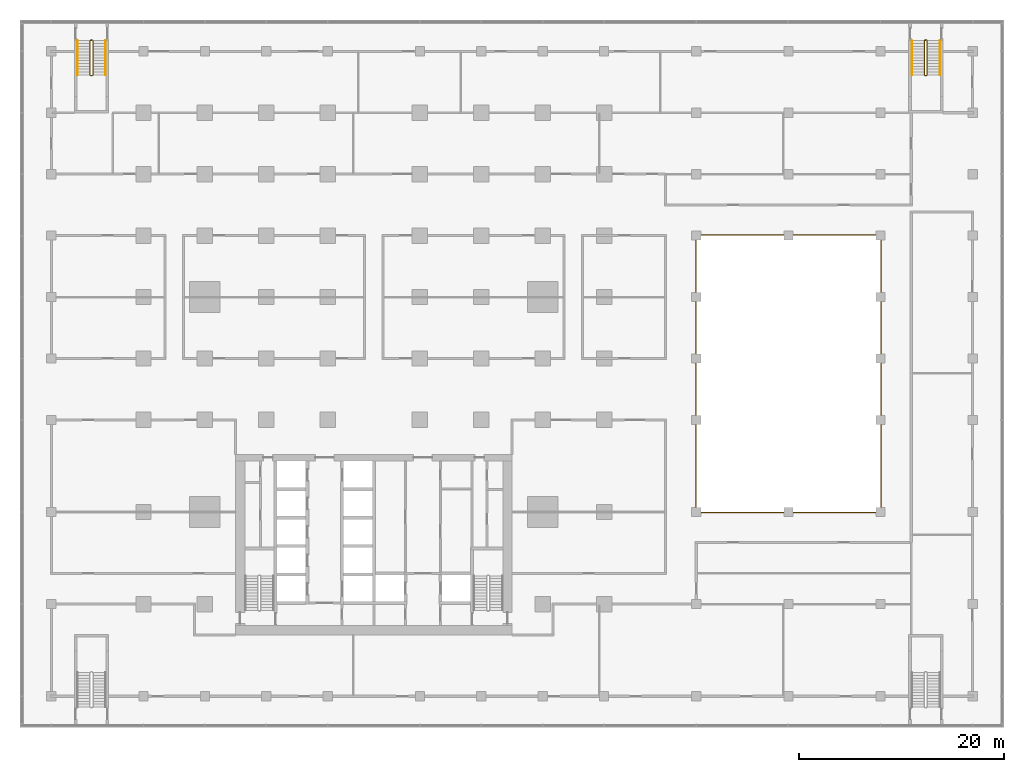
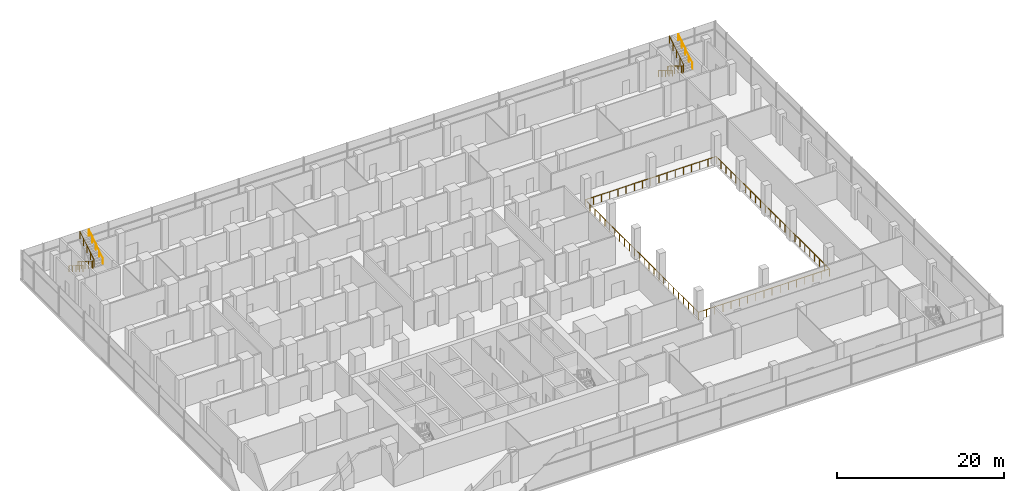
# One storey, part 22 of 22: 7 railings.
"""IFC4 building model written with IfcOpenShell, lengths in metres."""

from ifc_helpers import new_model, si_unit, direction, frame, origin, origin_2d, place, context, subcontext, project, spatial, circle, extrude, material, type_object, element, save


model = new_model("IFC4")

# Units and contexts
model_context = context("Model", 3, precision=1e-05, world=origin(), true_north=direction((0.0, 1.0)))
body_context = subcontext(model_context, "Body", "Model", "MODEL_VIEW")
ifc_project = project(units=[si_unit("LENGTHUNIT", "METRE"), si_unit("AREAUNIT", "SQUARE_METRE"), si_unit("VOLUMEUNIT", "CUBIC_METRE"), si_unit("PLANEANGLEUNIT", "RADIAN"), si_unit("MASSUNIT", "GRAM", prefix="KILO")], contexts=[model_context])

# Site, building, storey
site_placement = place(None, origin())
site = spatial("IfcSite", under=ifc_project, at=site_placement, CompositionType="ELEMENT")
building_placement = place(site_placement, origin())
building = spatial("IfcBuilding", under=site, at=building_placement, Name="Finial Court Residences", CompositionType="ELEMENT")
storey_placement = place(building_placement, frame((0.0, 0.0, 23.5)))
storey = spatial("IfcBuildingStorey", under=building, at=storey_placement, Name="L04", CompositionType="ELEMENT", Elevation=23.5)

# Railings
ifc_material_1 = material(Name="Bronze anodised aluminium", Category="aluminium")
railing_type_1 = type_object("IfcRailingType", Name="Atrium gallery guard 1100", PredefinedType="GUARDRAIL", material=ifc_material_1)
railing_1_placement = place(storey_placement, frame((31.449951171875, -13.550048828125, 0.0)))
element("IfcRailing", 1, at=railing_1_placement, inside=storey, type_object=railing_type_1, Name="L04 atrium gallery guard", PredefinedType="GUARDRAIL", context=body_context, shape_type="SweptSolid", body=[
    extrude(circle(Radius=0.02392578125, at=origin_2d()), frame((0.0, 0.0, 1.076171875), z_axis=(1.0, 0.0, 0.0), x_axis=(0.0, 1.0, 0.0)), (0.0, 0.0, 1.0), 18.10009765625),
    extrude(circle(Radius=0.02392578125, at=origin_2d()), frame((18.10009765625, 0.0, 1.076171875), z_axis=(0.0, 1.0, 0.0), x_axis=(-1.0, 0.0, 0.0)), (0.0, 0.0, 1.0), 27.10009765625),
    extrude(circle(Radius=0.02392578125, at=origin_2d()), frame((18.10009765625, 27.10009765625, 1.076171875), z_axis=(-1.0, 0.0, 0.0), x_axis=(0.0, -1.0, 0.0)), (0.0, 0.0, 1.0), 18.10009765625),
    extrude(circle(Radius=0.02392578125, at=origin_2d()), frame((0.0, 27.10009765625, 1.076171875), z_axis=(0.0, -1.0, 0.0), x_axis=(1.0, 0.0, 0.0)), (0.0, 0.0, 1.0), 27.0400390625),
    extrude(circle(Radius=0.02099609375, at=origin_2d()), origin(), (0.0, 0.0, 1.0), 1.052001953125),
    extrude(circle(Radius=0.02099609375, at=origin_2d()), frame((1.13134765625, 0.0, 0.0)), (0.0, 0.0, 1.0), 1.052001953125),
    extrude(circle(Radius=0.02099609375, at=origin_2d()), frame((2.262451171875, 0.0, 0.0)), (0.0, 0.0, 1.0), 1.052001953125),
    extrude(circle(Radius=0.02099609375, at=origin_2d()), frame((3.393798828125, 0.0, 0.0)), (0.0, 0.0, 1.0), 1.052001953125),
    extrude(circle(Radius=0.02099609375, at=origin_2d()), frame((4.52490234375, 0.0, 0.0)), (0.0, 0.0, 1.0), 1.052001953125),
    extrude(circle(Radius=0.02099609375, at=origin_2d()), frame((5.65625, 0.0, 0.0)), (0.0, 0.0, 1.0), 1.052001953125),
    extrude(circle(Radius=0.02099609375, at=origin_2d()), frame((6.78759765625, 0.0, 0.0)), (0.0, 0.0, 1.0), 1.052001953125),
    extrude(circle(Radius=0.02099609375, at=origin_2d()), frame((7.918701171875, 0.0, 0.0)), (0.0, 0.0, 1.0), 1.052001953125),
    extrude(circle(Radius=0.02099609375, at=origin_2d()), frame((9.050048828125, 0.0, 0.0)), (0.0, 0.0, 1.0), 1.052001953125),
    extrude(circle(Radius=0.02099609375, at=origin_2d()), frame((10.181396484375, 0.0, 0.0)), (0.0, 0.0, 1.0), 1.052001953125),
    extrude(circle(Radius=0.02099609375, at=origin_2d()), frame((11.3125, 0.0, 0.0)), (0.0, 0.0, 1.0), 1.052001953125),
    extrude(circle(Radius=0.02099609375, at=origin_2d()), frame((12.44384765625, 0.0, 0.0)), (0.0, 0.0, 1.0), 1.052001953125),
    extrude(circle(Radius=0.02099609375, at=origin_2d()), frame((13.5751953125, 0.0, 0.0)), (0.0, 0.0, 1.0), 1.052001953125),
    extrude(circle(Radius=0.02099609375, at=origin_2d()), frame((14.706298828125, 0.0, 0.0)), (0.0, 0.0, 1.0), 1.052001953125),
    extrude(circle(Radius=0.02099609375, at=origin_2d()), frame((15.837646484375, 0.0, 0.0)), (0.0, 0.0, 1.0), 1.052001953125),
    extrude(circle(Radius=0.02099609375, at=origin_2d()), frame((16.96875, 0.0, 0.0)), (0.0, 0.0, 1.0), 1.052001953125),
    extrude(circle(Radius=0.02099609375, at=origin_2d()), frame((18.10009765625, 0.0, 0.0)), (0.0, 0.0, 1.0), 1.052001953125),
    extrude(circle(Radius=0.02099609375, at=origin_2d()), frame((18.10009765625, 1.17822265625, 0.0)), (0.0, 0.0, 1.0), 1.052001953125),
    extrude(circle(Radius=0.02099609375, at=origin_2d()), frame((18.10009765625, 2.3564453125, 0.0)), (0.0, 0.0, 1.0), 1.052001953125),
    extrude(circle(Radius=0.02099609375, at=origin_2d()), frame((18.10009765625, 3.534912109375, 0.0)), (0.0, 0.0, 1.0), 1.052001953125),
    extrude(circle(Radius=0.02099609375, at=origin_2d()), frame((18.10009765625, 4.713134765625, 0.0)), (0.0, 0.0, 1.0), 1.052001953125),
    extrude(circle(Radius=0.02099609375, at=origin_2d()), frame((18.10009765625, 5.891357421875, 0.0)), (0.0, 0.0, 1.0), 1.052001953125),
    extrude(circle(Radius=0.02099609375, at=origin_2d()), frame((18.10009765625, 7.069580078125, 0.0)), (0.0, 0.0, 1.0), 1.052001953125),
    extrude(circle(Radius=0.02099609375, at=origin_2d()), frame((18.10009765625, 8.247802734375, 0.0)), (0.0, 0.0, 1.0), 1.052001953125),
    extrude(circle(Radius=0.02099609375, at=origin_2d()), frame((18.10009765625, 9.426025390625, 0.0)), (0.0, 0.0, 1.0), 1.052001953125),
    extrude(circle(Radius=0.02099609375, at=origin_2d()), frame((18.10009765625, 10.6044921875, 0.0)), (0.0, 0.0, 1.0), 1.052001953125),
    extrude(circle(Radius=0.02099609375, at=origin_2d()), frame((18.10009765625, 11.78271484375, 0.0)), (0.0, 0.0, 1.0), 1.052001953125),
    extrude(circle(Radius=0.02099609375, at=origin_2d()), frame((18.10009765625, 12.9609375, 0.0)), (0.0, 0.0, 1.0), 1.052001953125),
    extrude(circle(Radius=0.02099609375, at=origin_2d()), frame((18.10009765625, 14.13916015625, 0.0)), (0.0, 0.0, 1.0), 1.052001953125),
    extrude(circle(Radius=0.02099609375, at=origin_2d()), frame((18.10009765625, 15.3173828125, 0.0)), (0.0, 0.0, 1.0), 1.052001953125),
    extrude(circle(Radius=0.02099609375, at=origin_2d()), frame((18.10009765625, 16.49560546875, 0.0)), (0.0, 0.0, 1.0), 1.052001953125),
    extrude(circle(Radius=0.02099609375, at=origin_2d()), frame((18.10009765625, 17.674072265625, 0.0)), (0.0, 0.0, 1.0), 1.052001953125),
    extrude(circle(Radius=0.02099609375, at=origin_2d()), frame((18.10009765625, 18.852294921875, 0.0)), (0.0, 0.0, 1.0), 1.052001953125),
    extrude(circle(Radius=0.02099609375, at=origin_2d()), frame((18.10009765625, 20.030517578125, 0.0)), (0.0, 0.0, 1.0), 1.052001953125),
    extrude(circle(Radius=0.02099609375, at=origin_2d()), frame((18.10009765625, 21.208740234375, 0.0)), (0.0, 0.0, 1.0), 1.052001953125),
    extrude(circle(Radius=0.02099609375, at=origin_2d()), frame((18.10009765625, 22.386962890625, 0.0)), (0.0, 0.0, 1.0), 1.052001953125),
    extrude(circle(Radius=0.02099609375, at=origin_2d()), frame((18.10009765625, 23.565185546875, 0.0)), (0.0, 0.0, 1.0), 1.052001953125),
    extrude(circle(Radius=0.02099609375, at=origin_2d()), frame((18.10009765625, 24.74365234375, 0.0)), (0.0, 0.0, 1.0), 1.052001953125),
    extrude(circle(Radius=0.02099609375, at=origin_2d()), frame((18.10009765625, 25.921875, 0.0)), (0.0, 0.0, 1.0), 1.052001953125),
    extrude(circle(Radius=0.02099609375, at=origin_2d()), frame((18.10009765625, 27.10009765625, 0.0)), (0.0, 0.0, 1.0), 1.052001953125),
    extrude(circle(Radius=0.02099609375, at=origin_2d()), frame((16.96875, 27.10009765625, 0.0)), (0.0, 0.0, 1.0), 1.052001953125),
    extrude(circle(Radius=0.02099609375, at=origin_2d()), frame((15.837646484375, 27.10009765625, 0.0)), (0.0, 0.0, 1.0), 1.052001953125),
    extrude(circle(Radius=0.02099609375, at=origin_2d()), frame((14.706298828125, 27.10009765625, 0.0)), (0.0, 0.0, 1.0), 1.052001953125),
    extrude(circle(Radius=0.02099609375, at=origin_2d()), frame((13.5751953125, 27.10009765625, 0.0)), (0.0, 0.0, 1.0), 1.052001953125),
    extrude(circle(Radius=0.02099609375, at=origin_2d()), frame((12.44384765625, 27.10009765625, 0.0)), (0.0, 0.0, 1.0), 1.052001953125),
    extrude(circle(Radius=0.02099609375, at=origin_2d()), frame((11.3125, 27.10009765625, 0.0)), (0.0, 0.0, 1.0), 1.052001953125),
    extrude(circle(Radius=0.02099609375, at=origin_2d()), frame((10.181396484375, 27.10009765625, 0.0)), (0.0, 0.0, 1.0), 1.052001953125),
    extrude(circle(Radius=0.02099609375, at=origin_2d()), frame((9.050048828125, 27.10009765625, 0.0)), (0.0, 0.0, 1.0), 1.052001953125),
    extrude(circle(Radius=0.02099609375, at=origin_2d()), frame((7.918701171875, 27.10009765625, 0.0)), (0.0, 0.0, 1.0), 1.052001953125),
    extrude(circle(Radius=0.02099609375, at=origin_2d()), frame((6.78759765625, 27.10009765625, 0.0)), (0.0, 0.0, 1.0), 1.052001953125),
    extrude(circle(Radius=0.02099609375, at=origin_2d()), frame((5.65625, 27.10009765625, 0.0)), (0.0, 0.0, 1.0), 1.052001953125),
    extrude(circle(Radius=0.02099609375, at=origin_2d()), frame((4.52490234375, 27.10009765625, 0.0)), (0.0, 0.0, 1.0), 1.052001953125),
    extrude(circle(Radius=0.02099609375, at=origin_2d()), frame((3.393798828125, 27.10009765625, 0.0)), (0.0, 0.0, 1.0), 1.052001953125),
    extrude(circle(Radius=0.02099609375, at=origin_2d()), frame((2.262451171875, 27.10009765625, 0.0)), (0.0, 0.0, 1.0), 1.052001953125),
    extrude(circle(Radius=0.02099609375, at=origin_2d()), frame((1.13134765625, 27.10009765625, 0.0)), (0.0, 0.0, 1.0), 1.052001953125),
    extrude(circle(Radius=0.02099609375, at=origin_2d()), frame((0.0, 27.10009765625, 0.0)), (0.0, 0.0, 1.0), 1.052001953125),
    extrude(circle(Radius=0.02099609375, at=origin_2d()), frame((0.0, 25.924560546875, 0.0)), (0.0, 0.0, 1.0), 1.052001953125),
    extrude(circle(Radius=0.02099609375, at=origin_2d()), frame((0.0, 24.748779296875, 0.0)), (0.0, 0.0, 1.0), 1.052001953125),
    extrude(circle(Radius=0.02099609375, at=origin_2d()), frame((0.0, 23.5732421875, 0.0)), (0.0, 0.0, 1.0), 1.052001953125),
    extrude(circle(Radius=0.02099609375, at=origin_2d()), frame((0.0, 22.3974609375, 0.0)), (0.0, 0.0, 1.0), 1.052001953125),
    extrude(circle(Radius=0.02099609375, at=origin_2d()), frame((0.0, 21.221923828125, 0.0)), (0.0, 0.0, 1.0), 1.052001953125),
    extrude(circle(Radius=0.02099609375, at=origin_2d()), frame((0.0, 20.046142578125, 0.0)), (0.0, 0.0, 1.0), 1.052001953125),
    extrude(circle(Radius=0.02099609375, at=origin_2d()), frame((0.0, 18.87060546875, 0.0)), (0.0, 0.0, 1.0), 1.052001953125),
    extrude(circle(Radius=0.02099609375, at=origin_2d()), frame((0.0, 17.69482421875, 0.0)), (0.0, 0.0, 1.0), 1.052001953125),
    extrude(circle(Radius=0.02099609375, at=origin_2d()), frame((0.0, 16.519287109375, 0.0)), (0.0, 0.0, 1.0), 1.052001953125),
    extrude(circle(Radius=0.02099609375, at=origin_2d()), frame((0.0, 15.343505859375, 0.0)), (0.0, 0.0, 1.0), 1.052001953125),
    extrude(circle(Radius=0.02099609375, at=origin_2d()), frame((0.0, 14.16796875, 0.0)), (0.0, 0.0, 1.0), 1.052001953125),
    extrude(circle(Radius=0.02099609375, at=origin_2d()), frame((0.0, 12.9921875, 0.0)), (0.0, 0.0, 1.0), 1.052001953125),
    extrude(circle(Radius=0.02099609375, at=origin_2d()), frame((0.0, 11.816650390625, 0.0)), (0.0, 0.0, 1.0), 1.052001953125),
    extrude(circle(Radius=0.02099609375, at=origin_2d()), frame((0.0, 10.640869140625, 0.0)), (0.0, 0.0, 1.0), 1.052001953125),
    extrude(circle(Radius=0.02099609375, at=origin_2d()), frame((0.0, 9.46533203125, 0.0)), (0.0, 0.0, 1.0), 1.052001953125),
    extrude(circle(Radius=0.02099609375, at=origin_2d()), frame((0.0, 8.28955078125, 0.0)), (0.0, 0.0, 1.0), 1.052001953125),
    extrude(circle(Radius=0.02099609375, at=origin_2d()), frame((0.0, 7.114013671875, 0.0)), (0.0, 0.0, 1.0), 1.052001953125),
    extrude(circle(Radius=0.02099609375, at=origin_2d()), frame((0.0, 5.938232421875, 0.0)), (0.0, 0.0, 1.0), 1.052001953125),
    extrude(circle(Radius=0.02099609375, at=origin_2d()), frame((0.0, 4.7626953125, 0.0)), (0.0, 0.0, 1.0), 1.052001953125),
    extrude(circle(Radius=0.02099609375, at=origin_2d()), frame((0.0, 3.5869140625, 0.0)), (0.0, 0.0, 1.0), 1.052001953125),
    extrude(circle(Radius=0.02099609375, at=origin_2d()), frame((0.0, 2.411376953125, 0.0)), (0.0, 0.0, 1.0), 1.052001953125),
    extrude(circle(Radius=0.02099609375, at=origin_2d()), frame((0.0, 1.235595703125, 0.0)), (0.0, 0.0, 1.0), 1.052001953125),
    extrude(circle(Radius=0.02099609375, at=origin_2d()), frame((0.0, 0.06005859375, 0.0)), (0.0, 0.0, 1.0), 1.052001953125),
])
ifc_material_2 = material(Name="Stainless steel railing", Category="steel")
railing_type_2 = type_object("IfcRailingType", Name="Stair guard 1100", PredefinedType="GUARDRAIL", material=ifc_material_2)
railing_2_placement = place(storey_placement, frame((53.85009765625, 32.60009765625, 0.0)))
element("IfcRailing", 2, at=railing_2_placement, inside=storey, type_object=railing_type_2, Name="L04 ST-5 stair guard 1", PredefinedType="GUARDRAIL", context=body_context, shape_type="SweptSolid", body=[
    extrude(circle(Radius=0.02392578125, at=origin_2d()), frame((0.0, 0.0, 1.076171875), z_axis=(1.0, 0.0, 0.0), x_axis=(0.0, 1.0, 0.0)), (0.0, 0.0, 1.0), 0.14990234375),
    extrude(circle(Radius=0.02392578125, at=origin_2d()), frame((0.14990234375, 0.0, 1.076171875), z_axis=(-0.742869136974, -0.185944045274, 0.643094283413), x_axis=(0.242814311512, -0.970072785993, 0.0)), (0.0, 0.0, 1.0), 0.26904296875),
    extrude(circle(Radius=0.02392578125, at=origin_2d()), frame((-0.050048828125, -0.050048828125, 1.2490234375), z_axis=(0.0, -0.850623216509, 0.525775754039), x_axis=(1.0, 0.0, 0.0)), (0.0, 0.0, 1.0), 3.9501953125),
    extrude(circle(Radius=0.02392578125, at=origin_2d()), frame((-0.050048828125, -3.41015625, 3.326171875), z_axis=(0.707106781187, -0.707106781187, 0.0), x_axis=(0.707106781187, 0.707106781187, 0.0)), (0.0, 0.0, 1.0), 0.07080078125),
    extrude(circle(Radius=0.02392578125, at=origin_2d()), frame((0.0, -3.460205078125, 3.326171875), z_axis=(1.0, 0.0, 0.0), x_axis=(0.0, 1.0, 0.0)), (0.0, 0.0, 1.0), 0.14990234375),
    extrude(circle(Radius=0.02392578125, at=origin_2d()), frame((0.14990234375, -3.460205078125, 3.326171875), z_axis=(0.267629722418, 0.267629722418, 0.925607186314), x_axis=(-0.707106781187, 0.707106781187, 0.0)), (0.0, 0.0, 1.0), 0.18701171875),
    extrude(circle(Radius=0.02392578125, at=origin_2d()), frame((0.199951171875, -3.41015625, 3.4990234375), z_axis=(0.0, 0.850623216509, 0.525775754039), x_axis=(-1.0, 0.0, 0.0)), (0.0, 0.0, 1.0), 3.9501953125),
    extrude(circle(Radius=0.02099609375, at=origin_2d()), origin(), (0.0, 0.0, 1.0), 1.052001953125),
    extrude(circle(Radius=0.02099609375, at=origin_2d()), frame((0.14990234375, 0.0, 0.0)), (0.0, 0.0, 1.0), 1.052001953125),
    extrude(circle(Radius=0.02099609375, at=origin_2d()), frame((-0.050048828125, -0.050048828125, 0.173095703125)), (0.0, 0.0, 1.0), 1.052001953125),
    extrude(circle(Radius=0.02099609375, at=origin_2d()), frame((-0.050048828125, -0.89013671875, 0.6923828125)), (0.0, 0.0, 1.0), 1.052001953125),
    extrude(circle(Radius=0.02099609375, at=origin_2d()), frame((-0.050048828125, -1.72998046875, 1.21142578125)), (0.0, 0.0, 1.0), 1.052001953125),
    extrude(circle(Radius=0.02099609375, at=origin_2d()), frame((-0.050048828125, -2.570068359375, 1.730712890625)), (0.0, 0.0, 1.0), 1.052001953125),
    extrude(circle(Radius=0.02099609375, at=origin_2d()), frame((-0.050048828125, -3.41015625, 2.25)), (0.0, 0.0, 1.0), 1.052001953125),
    extrude(circle(Radius=0.02099609375, at=origin_2d()), frame((0.0, -3.460205078125, 2.25)), (0.0, 0.0, 1.0), 1.052001953125),
    extrude(circle(Radius=0.02099609375, at=origin_2d()), frame((0.14990234375, -3.460205078125, 2.25)), (0.0, 0.0, 1.0), 1.052001953125),
    extrude(circle(Radius=0.02099609375, at=origin_2d()), frame((0.199951171875, -3.41015625, 2.423095703125)), (0.0, 0.0, 1.0), 1.052001953125),
    extrude(circle(Radius=0.02099609375, at=origin_2d()), frame((0.199951171875, -2.570068359375, 2.9423828125)), (0.0, 0.0, 1.0), 1.052001953125),
    extrude(circle(Radius=0.02099609375, at=origin_2d()), frame((0.199951171875, -1.72998046875, 3.46142578125)), (0.0, 0.0, 1.0), 1.052001953125),
    extrude(circle(Radius=0.02099609375, at=origin_2d()), frame((0.199951171875, -0.89013671875, 3.980712890625)), (0.0, 0.0, 1.0), 1.052001953125),
    extrude(circle(Radius=0.02099609375, at=origin_2d()), frame((0.199951171875, -0.050048828125, 4.5)), (0.0, 0.0, 1.0), 1.052001953125),
])
railing_3_placement = place(storey_placement, frame((-27.64990234375, 32.60009765625, 0.0)))
element("IfcRailing", 3, at=railing_3_placement, inside=storey, type_object=railing_type_2, Name="L04 ST-6 stair guard 1", PredefinedType="GUARDRAIL", context=body_context, shape_type="SweptSolid", body=[
    extrude(circle(Radius=0.02392578125, at=origin_2d()), frame((0.0, 0.0, 1.076171875), z_axis=(1.0, 0.0, 0.0), x_axis=(0.0, 1.0, 0.0)), (0.0, 0.0, 1.0), 0.14990234375),
    extrude(circle(Radius=0.02392578125, at=origin_2d()), frame((0.14990234375, 0.0, 1.076171875), z_axis=(-0.742869136974, -0.185944045274, 0.643094283413), x_axis=(0.242814311512, -0.970072785993, 0.0)), (0.0, 0.0, 1.0), 0.26904296875),
    extrude(circle(Radius=0.02392578125, at=origin_2d()), frame((-0.050048828125, -0.050048828125, 1.2490234375), z_axis=(0.0, -0.850623216509, 0.525775754039), x_axis=(1.0, 0.0, 0.0)), (0.0, 0.0, 1.0), 3.9501953125),
    extrude(circle(Radius=0.02392578125, at=origin_2d()), frame((-0.050048828125, -3.41015625, 3.326171875), z_axis=(0.707106781187, -0.707106781187, 0.0), x_axis=(0.707106781187, 0.707106781187, 0.0)), (0.0, 0.0, 1.0), 0.07080078125),
    extrude(circle(Radius=0.02392578125, at=origin_2d()), frame((0.0, -3.460205078125, 3.326171875), z_axis=(1.0, 0.0, 0.0), x_axis=(0.0, 1.0, 0.0)), (0.0, 0.0, 1.0), 0.14990234375),
    extrude(circle(Radius=0.02392578125, at=origin_2d()), frame((0.14990234375, -3.460205078125, 3.326171875), z_axis=(0.267629722418, 0.267629722418, 0.925607186314), x_axis=(-0.707106781187, 0.707106781187, 0.0)), (0.0, 0.0, 1.0), 0.18701171875),
    extrude(circle(Radius=0.02392578125, at=origin_2d()), frame((0.199951171875, -3.41015625, 3.4990234375), z_axis=(0.0, 0.850623216509, 0.525775754039), x_axis=(-1.0, 0.0, 0.0)), (0.0, 0.0, 1.0), 3.9501953125),
    extrude(circle(Radius=0.02099609375, at=origin_2d()), origin(), (0.0, 0.0, 1.0), 1.052001953125),
    extrude(circle(Radius=0.02099609375, at=origin_2d()), frame((0.14990234375, 0.0, 0.0)), (0.0, 0.0, 1.0), 1.052001953125),
    extrude(circle(Radius=0.02099609375, at=origin_2d()), frame((-0.050048828125, -0.050048828125, 0.173095703125)), (0.0, 0.0, 1.0), 1.052001953125),
    extrude(circle(Radius=0.02099609375, at=origin_2d()), frame((-0.050048828125, -0.89013671875, 0.6923828125)), (0.0, 0.0, 1.0), 1.052001953125),
    extrude(circle(Radius=0.02099609375, at=origin_2d()), frame((-0.050048828125, -1.72998046875, 1.21142578125)), (0.0, 0.0, 1.0), 1.052001953125),
    extrude(circle(Radius=0.02099609375, at=origin_2d()), frame((-0.050048828125, -2.570068359375, 1.730712890625)), (0.0, 0.0, 1.0), 1.052001953125),
    extrude(circle(Radius=0.02099609375, at=origin_2d()), frame((-0.050048828125, -3.41015625, 2.25)), (0.0, 0.0, 1.0), 1.052001953125),
    extrude(circle(Radius=0.02099609375, at=origin_2d()), frame((0.0, -3.460205078125, 2.25)), (0.0, 0.0, 1.0), 1.052001953125),
    extrude(circle(Radius=0.02099609375, at=origin_2d()), frame((0.14990234375, -3.460205078125, 2.25)), (0.0, 0.0, 1.0), 1.052001953125),
    extrude(circle(Radius=0.02099609375, at=origin_2d()), frame((0.199951171875, -3.41015625, 2.423095703125)), (0.0, 0.0, 1.0), 1.052001953125),
    extrude(circle(Radius=0.02099609375, at=origin_2d()), frame((0.199951171875, -2.570068359375, 2.9423828125)), (0.0, 0.0, 1.0), 1.052001953125),
    extrude(circle(Radius=0.02099609375, at=origin_2d()), frame((0.199951171875, -1.72998046875, 3.46142578125)), (0.0, 0.0, 1.0), 1.052001953125),
    extrude(circle(Radius=0.02099609375, at=origin_2d()), frame((0.199951171875, -0.89013671875, 3.980712890625)), (0.0, 0.0, 1.0), 1.052001953125),
    extrude(circle(Radius=0.02099609375, at=origin_2d()), frame((0.199951171875, -0.050048828125, 4.5)), (0.0, 0.0, 1.0), 1.052001953125),
])
railing_type_3 = type_object("IfcRailingType", Name="Stair handrail 900", PredefinedType="HANDRAIL", material=ifc_material_2)
railing_4_placement = place(storey_placement, frame((52.550048828125, 32.550048828125, 0.173095703125)))
element("IfcRailing", 4, at=railing_4_placement, inside=storey, type_object=railing_type_3, Name="L04 ST-5 stair handrail 1", PredefinedType="HANDRAIL", context=body_context, shape_type="SweptSolid", body=[
    extrude(circle(Radius=0.02392578125, at=origin_2d()), frame((0.0, 0.0, 0.8759765625), z_axis=(0.0, -0.850623216509, 0.525775754039), x_axis=(1.0, 0.0, 0.0)), (0.0, 0.0, 1.0), 3.9501953125),
    extrude(circle(Radius=0.02099609375, at=origin_2d()), origin(), (0.0, 0.0, 1.0), 0.851806640625),
    extrude(circle(Radius=0.02099609375, at=origin_2d()), frame((0.0, -0.840087890625, 0.519287109375)), (0.0, 0.0, 1.0), 0.851806640625),
    extrude(circle(Radius=0.02099609375, at=origin_2d()), frame((0.0, -1.68017578125, 1.03857421875)), (0.0, 0.0, 1.0), 0.851806640625),
    extrude(circle(Radius=0.02099609375, at=origin_2d()), frame((0.0, -2.52001953125, 1.5576171875)), (0.0, 0.0, 1.0), 0.851806640625),
    extrude(circle(Radius=0.02099609375, at=origin_2d()), frame((0.0, -3.360107421875, 2.076904296875)), (0.0, 0.0, 1.0), 0.851806640625),
])
railing_5_placement = place(storey_placement, frame((55.300048828125, 29.18994140625, 2.423095703125)))
element("IfcRailing", 5, at=railing_5_placement, inside=storey, type_object=railing_type_3, Name="L04 ST-5 stair handrail 2", PredefinedType="HANDRAIL", context=body_context, shape_type="SweptSolid", body=[
    extrude(circle(Radius=0.02392578125, at=origin_2d()), frame((0.0, 0.0, 0.8759765625), z_axis=(0.0, 0.850623216509, 0.525775754039), x_axis=(-1.0, 0.0, 0.0)), (0.0, 0.0, 1.0), 3.9501953125),
    extrude(circle(Radius=0.02099609375, at=origin_2d()), origin(), (0.0, 0.0, 1.0), 0.851806640625),
    extrude(circle(Radius=0.02099609375, at=origin_2d()), frame((0.0, 0.840087890625, 0.519287109375)), (0.0, 0.0, 1.0), 0.851806640625),
    extrude(circle(Radius=0.02099609375, at=origin_2d()), frame((0.0, 1.68017578125, 1.03857421875)), (0.0, 0.0, 1.0), 0.851806640625),
    extrude(circle(Radius=0.02099609375, at=origin_2d()), frame((0.0, 2.52001953125, 1.5576171875)), (0.0, 0.0, 1.0), 0.851806640625),
    extrude(circle(Radius=0.02099609375, at=origin_2d()), frame((0.0, 3.360107421875, 2.076904296875)), (0.0, 0.0, 1.0), 0.851806640625),
])
railing_6_placement = place(storey_placement, frame((-28.949951171875, 32.550048828125, 0.173095703125)))
element("IfcRailing", 6, at=railing_6_placement, inside=storey, type_object=railing_type_3, Name="L04 ST-6 stair handrail 1", PredefinedType="HANDRAIL", context=body_context, shape_type="SweptSolid", body=[
    extrude(circle(Radius=0.02392578125, at=origin_2d()), frame((0.0, 0.0, 0.8759765625), z_axis=(0.0, -0.850623216509, 0.525775754039), x_axis=(1.0, 0.0, 0.0)), (0.0, 0.0, 1.0), 3.9501953125),
    extrude(circle(Radius=0.02099609375, at=origin_2d()), origin(), (0.0, 0.0, 1.0), 0.851806640625),
    extrude(circle(Radius=0.02099609375, at=origin_2d()), frame((0.0, -0.840087890625, 0.519287109375)), (0.0, 0.0, 1.0), 0.851806640625),
    extrude(circle(Radius=0.02099609375, at=origin_2d()), frame((0.0, -1.68017578125, 1.03857421875)), (0.0, 0.0, 1.0), 0.851806640625),
    extrude(circle(Radius=0.02099609375, at=origin_2d()), frame((0.0, -2.52001953125, 1.5576171875)), (0.0, 0.0, 1.0), 0.851806640625),
    extrude(circle(Radius=0.02099609375, at=origin_2d()), frame((0.0, -3.360107421875, 2.076904296875)), (0.0, 0.0, 1.0), 0.851806640625),
])
railing_7_placement = place(storey_placement, frame((-26.199951171875, 29.18994140625, 2.423095703125)))
element("IfcRailing", 7, at=railing_7_placement, inside=storey, type_object=railing_type_3, Name="L04 ST-6 stair handrail 2", PredefinedType="HANDRAIL", context=body_context, shape_type="SweptSolid", body=[
    extrude(circle(Radius=0.02392578125, at=origin_2d()), frame((0.0, 0.0, 0.8759765625), z_axis=(0.0, 0.850623216509, 0.525775754039), x_axis=(-1.0, 0.0, 0.0)), (0.0, 0.0, 1.0), 3.9501953125),
    extrude(circle(Radius=0.02099609375, at=origin_2d()), origin(), (0.0, 0.0, 1.0), 0.851806640625),
    extrude(circle(Radius=0.02099609375, at=origin_2d()), frame((0.0, 0.840087890625, 0.519287109375)), (0.0, 0.0, 1.0), 0.851806640625),
    extrude(circle(Radius=0.02099609375, at=origin_2d()), frame((0.0, 1.68017578125, 1.03857421875)), (0.0, 0.0, 1.0), 0.851806640625),
    extrude(circle(Radius=0.02099609375, at=origin_2d()), frame((0.0, 2.52001953125, 1.5576171875)), (0.0, 0.0, 1.0), 0.851806640625),
    extrude(circle(Radius=0.02099609375, at=origin_2d()), frame((0.0, 3.360107421875, 2.076904296875)), (0.0, 0.0, 1.0), 0.851806640625),
])

save(model, "model.ifc")
